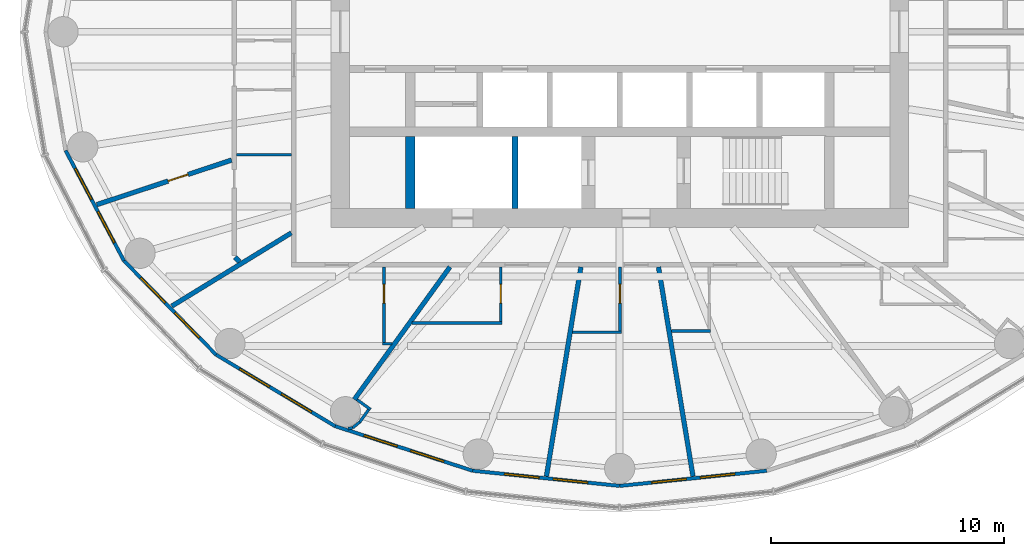
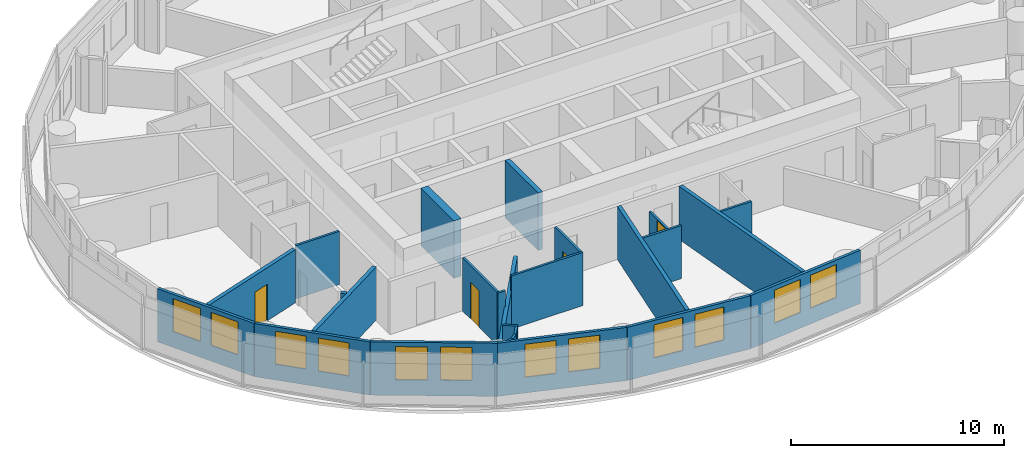
# One storey, part 6 of 14: 26 walls, 12 windows, 4 doors, 16 openings.
"""IFC4 building model written with IfcOpenShell, lengths in metres."""

from ifc_helpers import new_model, si_unit, direction, frame, frame_2d, origin, place, context, subcontext, project, spatial, rectangle, extrude, material, layer, layer_set, type_object, element, fill, save


model = new_model("IFC4")

# Units and contexts
model_context = context("Model", 3, precision=1e-05, world=origin(), true_north=direction((0.0, 1.0)))
body_context = subcontext(model_context, "Body", "Model", "MODEL_VIEW")
ifc_project = project(units=[si_unit("LENGTHUNIT", "METRE"), si_unit("AREAUNIT", "SQUARE_METRE"), si_unit("VOLUMEUNIT", "CUBIC_METRE"), si_unit("PLANEANGLEUNIT", "RADIAN"), si_unit("MASSUNIT", "GRAM", prefix="KILO")], contexts=[model_context])

# Site, building, storey
site_placement = place(None, origin())
site = spatial("IfcSite", under=ifc_project, at=site_placement, CompositionType="ELEMENT")
building_placement = place(site_placement, origin())
building = spatial("IfcBuilding", under=site, at=building_placement, Name="Hankou Lantern Tower", CompositionType="ELEMENT")
storey_placement = place(building_placement, frame((0.0, 0.0, 135.300048828125)))
storey = spatial("IfcBuildingStorey", under=building, at=storey_placement, Name="L35", CompositionType="ELEMENT", Elevation=135.300048828125)

# Wall
ifc_material_1 = material(Name="Concrete C60", Category="concrete")
ifc_layer_1 = layer(ifc_material_1, 0.39990234375)
ifc_layer_set_1 = layer_set([ifc_layer_1], Name="Concrete C60")
wall_type_1 = type_object("IfcWallType", Name="CW4 CORE CROSS WALL 400", PredefinedType="SHEAR", material=ifc_layer_set_1)
wall_1_placement = place(storey_placement, frame((-9.0, -7.60009765625, 0.0), z_axis=(0.0, 0.0, 1.0), x_axis=(0.0, 1.0, 0.0)))
element("IfcWall", 1, at=wall_1_placement, inside=storey, type_object=wall_type_1, Name="Core strip wall L35", PredefinedType="SHEAR", context=body_context, shape_type="SweptSolid", body=[
    extrude(rectangle(XDim=3.10009765625, YDim=0.39990234375, at=frame_2d((1.550048828125, 0.0))), origin(), (0.0, 0.0, 1.0), 3.300048828125),
])

# Wall, openings, windows
ifc_material_2 = material(Name="Aluminium spandrel panel on steel studs", Category="steel")
ifc_layer_2 = layer(ifc_material_2, 0.14990234375)
ifc_layer_set_2 = layer_set([ifc_layer_2], Name="Aluminium spandrel panel on steel studs")
wall_type_2 = type_object("IfcWallType", Name="EW1 INNER SKIN WALL 150", PredefinedType="ELEMENTEDWALL", material=ifc_layer_set_2)
wall_2_placement = place(storey_placement, frame((-23.7919921875, -5.10009765625, 0.0), z_axis=(0.0, 0.0, 1.0), x_axis=(0.467814388454, -0.883826735257, 0.0)))
wall_2 = element("IfcWall", 2, at=wall_2_placement, inside=storey, type_object=wall_type_2, Name="Inner skin R14-R15 L35", PredefinedType="ELEMENTEDWALL", context=body_context, shape_type="SweptSolid", body=[
    extrude(rectangle(XDim=5.35400390625, YDim=0.14990234375, at=frame_2d((2.677001953125, 0.0))), origin(), (0.0, 0.0, 1.0), 3.050048828125),
])
opening_1_placement = place(wall_2_placement, frame((0.876953125, 0.0, 0.89990234375)))
opening_1 = element("IfcOpeningElement", 3, at=opening_1_placement, cuts=wall_2, Name="Opening W2", PredefinedType="OPENING", context=body_context, shape_type="SweptSolid", body=[
    extrude(rectangle(XDim=1.5, YDim=1.89990234375, at=frame_2d((0.75, 0.949951171875))), frame((0.0, 0.0849609375, 0.0), z_axis=(0.0, -1.0, 0.0), x_axis=(1.0, 0.0, 0.0)), (0.0, 0.0, 1.0), 0.169921875),
])
opening_2_placement = place(wall_2_placement, frame((2.97705078125, 0.0, 0.89990234375)))
opening_2 = element("IfcOpeningElement", 4, at=opening_2_placement, cuts=wall_2, Name="Opening W2", PredefinedType="OPENING", context=body_context, shape_type="SweptSolid", body=[
    extrude(rectangle(XDim=1.5, YDim=1.89990234375, at=frame_2d((0.75, 0.949951171875))), frame((0.0, 0.0849609375, 0.0), z_axis=(0.0, -1.0, 0.0), x_axis=(1.0, 0.0, 0.0)), (0.0, 0.0, 1.0), 0.169921875),
])
ifc_material_3 = material(Name="Aluminium framed double glazed window", Category="aluminium")
window_type = type_object("IfcWindowType", Name="W2 GUEST ROOM WINDOW 1500X1900", PartitioningType="DOUBLE_PANEL_VERTICAL", PredefinedType="WINDOW", material=ifc_material_3)
window_1_placement = place(opening_1_placement, origin())
window_1 = element("IfcWindow", 5, at=window_1_placement, inside=storey, type_object=window_type, Name="Window R14.1 L35", OverallHeight=1.89990234375, OverallWidth=1.5, PartitioningType="SINGLE_PANEL", PredefinedType="WINDOW", context=body_context, shape_type="SweptSolid", body=[
    extrude(rectangle(XDim=1.5, YDim=1.89990234375, at=frame_2d((0.75, 0.949951171875))), frame((0.0, 0.030029296875, 0.0), z_axis=(0.0, -1.0, 0.0), x_axis=(1.0, 0.0, 0.0)), (0.0, 0.0, 1.0), 0.06005859375),
])
fill(opening_1, window_1)
window_2_placement = place(opening_2_placement, origin())
window_2 = element("IfcWindow", 6, at=window_2_placement, inside=storey, type_object=window_type, Name="Window R14.2 L35", OverallHeight=1.89990234375, OverallWidth=1.5, PartitioningType="SINGLE_PANEL", PredefinedType="WINDOW", context=body_context, shape_type="SweptSolid", body=[
    extrude(rectangle(XDim=1.5, YDim=1.89990234375, at=frame_2d((0.75, 0.949951171875))), frame((0.0, 0.030029296875, 0.0), z_axis=(0.0, -1.0, 0.0), x_axis=(1.0, 0.0, 0.0)), (0.0, 0.0, 1.0), 0.06005859375),
])
fill(opening_2, window_2)

wall_3_placement = place(storey_placement, frame((-21.287353515625, -9.83203125, 0.0), z_axis=(0.0, 0.0, 1.0), x_axis=(0.700136650834, -0.714008872605, 0.0)))
wall_3 = element("IfcWall", 7, at=wall_3_placement, inside=storey, type_object=wall_type_2, Name="Inner skin R15-R16 L35", PredefinedType="ELEMENTEDWALL", context=body_context, shape_type="SweptSolid", body=[
    extrude(rectangle(XDim=5.6494140625, YDim=0.14990234375, at=frame_2d((2.82470703125, 0.0))), origin(), (0.0, 0.0, 1.0), 3.050048828125),
])
opening_3_placement = place(wall_3_placement, frame((1.024658203125, 0.0, 0.89990234375)))
opening_3 = element("IfcOpeningElement", 8, at=opening_3_placement, cuts=wall_3, Name="Opening W2", PredefinedType="OPENING", context=body_context, shape_type="SweptSolid", body=[
    extrude(rectangle(XDim=1.5, YDim=1.89990234375, at=frame_2d((0.75, 0.949951171875))), frame((0.0, 0.0849609375, 0.0), z_axis=(0.0, -1.0, 0.0), x_axis=(1.0, 0.0, 0.0)), (0.0, 0.0, 1.0), 0.169921875),
])
opening_4_placement = place(wall_3_placement, frame((3.12451171875, 0.0, 0.89990234375)))
opening_4 = element("IfcOpeningElement", 9, at=opening_4_placement, cuts=wall_3, Name="Opening W2", PredefinedType="OPENING", context=body_context, shape_type="SweptSolid", body=[
    extrude(rectangle(XDim=1.5, YDim=1.89990234375, at=frame_2d((0.75, 0.949951171875))), frame((0.0, 0.0849609375, 0.0), z_axis=(0.0, -1.0, 0.0), x_axis=(1.0, 0.0, 0.0)), (0.0, 0.0, 1.0), 0.169921875),
])
window_3_placement = place(opening_3_placement, origin())
window_3 = element("IfcWindow", 10, at=window_3_placement, inside=storey, type_object=window_type, Name="Window R15.1 L35", OverallHeight=1.89990234375, OverallWidth=1.5, PartitioningType="SINGLE_PANEL", PredefinedType="WINDOW", context=body_context, shape_type="SweptSolid", body=[
    extrude(rectangle(XDim=1.5, YDim=1.89990234375, at=frame_2d((0.75, 0.949951171875))), frame((0.0, 0.030029296875, 0.0), z_axis=(0.0, -1.0, 0.0), x_axis=(1.0, 0.0, 0.0)), (0.0, 0.0, 1.0), 0.06005859375),
])
fill(opening_3, window_3)
window_4_placement = place(opening_4_placement, origin())
window_4 = element("IfcWindow", 11, at=window_4_placement, inside=storey, type_object=window_type, Name="Window R15.2 L35", OverallHeight=1.89990234375, OverallWidth=1.5, PartitioningType="SINGLE_PANEL", PredefinedType="WINDOW", context=body_context, shape_type="SweptSolid", body=[
    extrude(rectangle(XDim=1.5, YDim=1.89990234375, at=frame_2d((0.75, 0.949951171875))), frame((0.0, 0.030029296875, 0.0), z_axis=(0.0, -1.0, 0.0), x_axis=(1.0, 0.0, 0.0)), (0.0, 0.0, 1.0), 0.06005859375),
])
fill(opening_4, window_4)

wall_4_placement = place(storey_placement, frame((-17.33203125, -13.86572265625, 0.0), z_axis=(0.0, 0.0, 1.0), x_axis=(0.857308573723, -0.514802884044, 0.0)))
wall_4 = element("IfcWall", 12, at=wall_4_placement, inside=storey, type_object=wall_type_2, Name="Inner skin R16-R17 L35", PredefinedType="ELEMENTEDWALL", context=body_context, shape_type="SweptSolid", body=[
    extrude(rectangle(XDim=5.961181640625, YDim=0.14990234375, at=frame_2d((2.98046875, 0.0))), origin(), (0.0, 0.0, 1.0), 3.050048828125),
])
opening_5_placement = place(wall_4_placement, frame((1.1806640625, 0.0, 0.89990234375)))
opening_5 = element("IfcOpeningElement", 13, at=opening_5_placement, cuts=wall_4, Name="Opening W2", PredefinedType="OPENING", context=body_context, shape_type="SweptSolid", body=[
    extrude(rectangle(XDim=1.5, YDim=1.89990234375, at=frame_2d((0.75, 0.949951171875))), frame((0.0, 0.0849609375, 0.0), z_axis=(0.0, -1.0, 0.0), x_axis=(1.0, 0.0, 0.0)), (0.0, 0.0, 1.0), 0.169921875),
])
opening_6_placement = place(wall_4_placement, frame((3.280517578125, 0.0, 0.89990234375)))
opening_6 = element("IfcOpeningElement", 14, at=opening_6_placement, cuts=wall_4, Name="Opening W2", PredefinedType="OPENING", context=body_context, shape_type="SweptSolid", body=[
    extrude(rectangle(XDim=1.5, YDim=1.89990234375, at=frame_2d((0.75, 0.949951171875))), frame((0.0, 0.0849609375, 0.0), z_axis=(0.0, -1.0, 0.0), x_axis=(1.0, 0.0, 0.0)), (0.0, 0.0, 1.0), 0.169921875),
])
window_5_placement = place(opening_5_placement, origin())
window_5 = element("IfcWindow", 15, at=window_5_placement, inside=storey, type_object=window_type, Name="Window R16.1 L35", OverallHeight=1.89990234375, OverallWidth=1.5, PartitioningType="SINGLE_PANEL", PredefinedType="WINDOW", context=body_context, shape_type="SweptSolid", body=[
    extrude(rectangle(XDim=1.5, YDim=1.89990234375, at=frame_2d((0.75, 0.949951171875))), frame((0.0, 0.030029296875, 0.0), z_axis=(0.0, -1.0, 0.0), x_axis=(1.0, 0.0, 0.0)), (0.0, 0.0, 1.0), 0.06005859375),
])
fill(opening_5, window_5)
window_6_placement = place(opening_6_placement, origin())
window_6 = element("IfcWindow", 16, at=window_6_placement, inside=storey, type_object=window_type, Name="Window R16.2 L35", OverallHeight=1.89990234375, OverallWidth=1.5, PartitioningType="SINGLE_PANEL", PredefinedType="WINDOW", context=body_context, shape_type="SweptSolid", body=[
    extrude(rectangle(XDim=1.5, YDim=1.89990234375, at=frame_2d((0.75, 0.949951171875))), frame((0.0, 0.030029296875, 0.0), z_axis=(0.0, -1.0, 0.0), x_axis=(1.0, 0.0, 0.0)), (0.0, 0.0, 1.0), 0.06005859375),
])
fill(opening_6, window_6)

wall_5_placement = place(storey_placement, frame((-12.221435546875, -16.9345703125, 0.0), z_axis=(0.0, 0.0, 1.0), x_axis=(0.951272691506, -0.308350881944, 0.0)))
wall_5 = element("IfcWall", 17, at=wall_5_placement, inside=storey, type_object=wall_type_2, Name="Inner skin R17-R18 L35", PredefinedType="ELEMENTEDWALL", context=body_context, shape_type="SweptSolid", body=[
    extrude(rectangle(XDim=6.210693359375, YDim=0.14990234375, at=frame_2d((3.10546875, 0.0))), origin(), (0.0, 0.0, 1.0), 3.050048828125),
])
opening_7_placement = place(wall_5_placement, frame((1.305419921875, 0.0, 0.89990234375)))
opening_7 = element("IfcOpeningElement", 18, at=opening_7_placement, cuts=wall_5, Name="Opening W2", PredefinedType="OPENING", context=body_context, shape_type="SweptSolid", body=[
    extrude(rectangle(XDim=1.5, YDim=1.89990234375, at=frame_2d((0.75, 0.949951171875))), frame((0.0, 0.0849609375, 0.0), z_axis=(0.0, -1.0, 0.0), x_axis=(1.0, 0.0, 0.0)), (0.0, 0.0, 1.0), 0.169921875),
])
opening_8_placement = place(wall_5_placement, frame((3.4052734375, 0.0, 0.89990234375)))
opening_8 = element("IfcOpeningElement", 19, at=opening_8_placement, cuts=wall_5, Name="Opening W2", PredefinedType="OPENING", context=body_context, shape_type="SweptSolid", body=[
    extrude(rectangle(XDim=1.5, YDim=1.89990234375, at=frame_2d((0.75, 0.949951171875))), frame((0.0, 0.0849609375, 0.0), z_axis=(0.0, -1.0, 0.0), x_axis=(1.0, 0.0, 0.0)), (0.0, 0.0, 1.0), 0.169921875),
])
window_7_placement = place(opening_7_placement, origin())
window_7 = element("IfcWindow", 20, at=window_7_placement, inside=storey, type_object=window_type, Name="Window R17.1 L35", OverallHeight=1.89990234375, OverallWidth=1.5, PartitioningType="SINGLE_PANEL", PredefinedType="WINDOW", context=body_context, shape_type="SweptSolid", body=[
    extrude(rectangle(XDim=1.5, YDim=1.89990234375, at=frame_2d((0.75, 0.949951171875))), frame((0.0, 0.030029296875, 0.0), z_axis=(0.0, -1.0, 0.0), x_axis=(1.0, 0.0, 0.0)), (0.0, 0.0, 1.0), 0.06005859375),
])
fill(opening_7, window_7)
window_8_placement = place(opening_8_placement, origin())
window_8 = element("IfcWindow", 21, at=window_8_placement, inside=storey, type_object=window_type, Name="Window R17.2 L35", OverallHeight=1.89990234375, OverallWidth=1.5, PartitioningType="SINGLE_PANEL", PredefinedType="WINDOW", context=body_context, shape_type="SweptSolid", body=[
    extrude(rectangle(XDim=1.5, YDim=1.89990234375, at=frame_2d((0.75, 0.949951171875))), frame((0.0, 0.030029296875, 0.0), z_axis=(0.0, -1.0, 0.0), x_axis=(1.0, 0.0, 0.0)), (0.0, 0.0, 1.0), 0.06005859375),
])
fill(opening_8, window_8)

wall_6_placement = place(storey_placement, frame((-6.3134765625, -18.849609375, 0.0), z_axis=(0.0, 0.0, 1.0), x_axis=(0.994735690163, -0.102473931887, 0.0)))
wall_6 = element("IfcWall", 22, at=wall_6_placement, inside=storey, type_object=wall_type_2, Name="Inner skin R18-R19 L35", PredefinedType="ELEMENTEDWALL", context=body_context, shape_type="SweptSolid", body=[
    extrude(rectangle(XDim=6.346923828125, YDim=0.14990234375, at=frame_2d((3.17333984375, 0.0))), origin(), (0.0, 0.0, 1.0), 3.050048828125),
])
opening_9_placement = place(wall_6_placement, frame((1.373291015625, 0.0, 0.89990234375)))
opening_9 = element("IfcOpeningElement", 23, at=opening_9_placement, cuts=wall_6, Name="Opening W2", PredefinedType="OPENING", context=body_context, shape_type="SweptSolid", body=[
    extrude(rectangle(XDim=1.5, YDim=1.89990234375, at=frame_2d((0.75, 0.949951171875))), frame((0.0, 0.0849609375, 0.0), z_axis=(0.0, -1.0, 0.0), x_axis=(1.0, 0.0, 0.0)), (0.0, 0.0, 1.0), 0.169921875),
])
opening_10_placement = place(wall_6_placement, frame((3.473388671875, 0.0, 0.89990234375)))
opening_10 = element("IfcOpeningElement", 24, at=opening_10_placement, cuts=wall_6, Name="Opening W2", PredefinedType="OPENING", context=body_context, shape_type="SweptSolid", body=[
    extrude(rectangle(XDim=1.5, YDim=1.89990234375, at=frame_2d((0.75, 0.949951171875))), frame((0.0, 0.0849609375, 0.0), z_axis=(0.0, -1.0, 0.0), x_axis=(1.0, 0.0, 0.0)), (0.0, 0.0, 1.0), 0.169921875),
])
window_9_placement = place(opening_9_placement, origin())
window_9 = element("IfcWindow", 25, at=window_9_placement, inside=storey, type_object=window_type, Name="Window R18.1 L35", OverallHeight=1.89990234375, OverallWidth=1.5, PartitioningType="SINGLE_PANEL", PredefinedType="WINDOW", context=body_context, shape_type="SweptSolid", body=[
    extrude(rectangle(XDim=1.5, YDim=1.89990234375, at=frame_2d((0.75, 0.949951171875))), frame((0.0, 0.030029296875, 0.0), z_axis=(0.0, -1.0, 0.0), x_axis=(1.0, 0.0, 0.0)), (0.0, 0.0, 1.0), 0.06005859375),
])
fill(opening_9, window_9)
window_10_placement = place(opening_10_placement, origin())
window_10 = element("IfcWindow", 26, at=window_10_placement, inside=storey, type_object=window_type, Name="Window R18.2 L35", OverallHeight=1.89990234375, OverallWidth=1.5, PartitioningType="SINGLE_PANEL", PredefinedType="WINDOW", context=body_context, shape_type="SweptSolid", body=[
    extrude(rectangle(XDim=1.5, YDim=1.89990234375, at=frame_2d((0.75, 0.949951171875))), frame((0.0, 0.030029296875, 0.0), z_axis=(0.0, -1.0, 0.0), x_axis=(1.0, 0.0, 0.0)), (0.0, 0.0, 1.0), 0.06005859375),
])
fill(opening_10, window_10)

wall_7_placement = place(storey_placement, frame((0.0, -19.5, 0.0), z_axis=(0.0, 0.0, 1.0), x_axis=(0.994735690163, 0.102473931887, 0.0)))
wall_7 = element("IfcWall", 27, at=wall_7_placement, inside=storey, type_object=wall_type_2, Name="Inner skin R19-R20 L35", PredefinedType="ELEMENTEDWALL", context=body_context, shape_type="SweptSolid", body=[
    extrude(rectangle(XDim=6.346923828125, YDim=0.14990234375, at=frame_2d((3.17333984375, 0.0))), origin(), (0.0, 0.0, 1.0), 3.050048828125),
])
opening_11_placement = place(wall_7_placement, frame((1.373291015625, 0.0, 0.89990234375)))
opening_11 = element("IfcOpeningElement", 28, at=opening_11_placement, cuts=wall_7, Name="Opening W2", PredefinedType="OPENING", context=body_context, shape_type="SweptSolid", body=[
    extrude(rectangle(XDim=1.5, YDim=1.89990234375, at=frame_2d((0.75, 0.949951171875))), frame((0.0, 0.0849609375, 0.0), z_axis=(0.0, -1.0, 0.0), x_axis=(1.0, 0.0, 0.0)), (0.0, 0.0, 1.0), 0.169921875),
])
opening_12_placement = place(wall_7_placement, frame((3.473388671875, 0.0, 0.89990234375)))
opening_12 = element("IfcOpeningElement", 29, at=opening_12_placement, cuts=wall_7, Name="Opening W2", PredefinedType="OPENING", context=body_context, shape_type="SweptSolid", body=[
    extrude(rectangle(XDim=1.5, YDim=1.89990234375, at=frame_2d((0.75, 0.949951171875))), frame((0.0, 0.0849609375, 0.0), z_axis=(0.0, -1.0, 0.0), x_axis=(1.0, 0.0, 0.0)), (0.0, 0.0, 1.0), 0.169921875),
])
window_11_placement = place(opening_11_placement, origin())
window_11 = element("IfcWindow", 30, at=window_11_placement, inside=storey, type_object=window_type, Name="Window R19.1 L35", OverallHeight=1.89990234375, OverallWidth=1.5, PartitioningType="SINGLE_PANEL", PredefinedType="WINDOW", context=body_context, shape_type="SweptSolid", body=[
    extrude(rectangle(XDim=1.5, YDim=1.89990234375, at=frame_2d((0.75, 0.949951171875))), frame((0.0, 0.030029296875, 0.0), z_axis=(0.0, -1.0, 0.0), x_axis=(1.0, 0.0, 0.0)), (0.0, 0.0, 1.0), 0.06005859375),
])
fill(opening_11, window_11)
window_12_placement = place(opening_12_placement, origin())
window_12 = element("IfcWindow", 31, at=window_12_placement, inside=storey, type_object=window_type, Name="Window R19.2 L35", OverallHeight=1.89990234375, OverallWidth=1.5, PartitioningType="SINGLE_PANEL", PredefinedType="WINDOW", context=body_context, shape_type="SweptSolid", body=[
    extrude(rectangle(XDim=1.5, YDim=1.89990234375, at=frame_2d((0.75, 0.949951171875))), frame((0.0, 0.030029296875, 0.0), z_axis=(0.0, -1.0, 0.0), x_axis=(1.0, 0.0, 0.0)), (0.0, 0.0, 1.0), 0.06005859375),
])
fill(opening_12, window_12)

# Walls
ifc_material_4 = material(Name="Masonry lightweight concrete block", Category="masonry")
ifc_layer_3 = layer(ifc_material_4, 0.199951171875)
ifc_layer_set_3 = layer_set([ifc_layer_3], Name="Masonry lightweight concrete block")
wall_type_3 = type_object("IfcWallType", Name="IW1 GUEST ROOM PARTY WALL 200", PredefinedType="PARTITIONING", material=ifc_layer_set_3)
wall_8_placement = place(storey_placement, frame((-14.10009765625, -8.6376953125, 0.0), z_axis=(0.0, 0.0, 1.0), x_axis=(-0.852706758009, -0.5223898782, 0.0)))
element("IfcWall", 32, at=wall_8_placement, inside=storey, type_object=wall_type_3, Name="Party wall R15-R16", PredefinedType="PARTITIONING", context=body_context, shape_type="SweptSolid", body=[
    extrude(rectangle(XDim=6.0185546875, YDim=0.199951171875, at=frame_2d((3.00927734375, 0.0))), origin(), (0.0, 0.0, 1.0), 3.050048828125),
])
wall_9_placement = place(storey_placement, frame((-7.2890625, -10.10009765625, 0.0), z_axis=(0.0, 0.0, 1.0), x_axis=(-0.585217367024, -0.81087645997, 0.0)))
element("IfcWall", 33, at=wall_9_placement, inside=storey, type_object=wall_type_3, Name="Party wall R17", PredefinedType="PARTITIONING", context=body_context, shape_type="SweptSolid", body=[
    extrude(rectangle(XDim=7.01611328125, YDim=0.199951171875, at=frame_2d((3.508056640625, 0.0))), origin(), (0.0, 0.0, 1.0), 2.14990234375),
])
for number, where, z_axis, x_axis, name in (
    (34, (-1.665283203125, -10.10009765625, 0.0), (0.0, 0.0, 1.0), (-0.162660519103, -0.986682094459, 0.0), "Party wall R18-R19"),
    (35, (1.665283203125, -10.10009765625, 0.0), (0.0, 0.0, 1.0), (0.162660519103, -0.986682094459, 0.0), "Party wall R19-R20"),
):
    element("IfcWall", number, at=place(storey_placement, frame(where, z_axis=z_axis, x_axis=x_axis)), inside=storey, type_object=wall_type_3, Name=name, PredefinedType="PARTITIONING", context=body_context, shape_type="SweptSolid", body=[
        extrude(rectangle(XDim=9.110595703125, YDim=0.199951171875, at=frame_2d((4.55517578125, 0.0))), origin(), (0.0, 0.0, 1.0), 3.050048828125),
    ])
ifc_material_5 = material(Name="Masonry lightweight concrete block", Category="masonry")
ifc_layer_4 = layer(ifc_material_5, 0.1201171875)
ifc_layer_set_4 = layer_set([ifc_layer_4], Name="Masonry lightweight concrete block")
wall_type_4 = type_object("IfcWallType", Name="IW3 BATHROOM WALL 120", PredefinedType="PARTITIONING", material=ifc_layer_set_4)
wall_10_placement = place(storey_placement, frame((-14.10009765625, -5.281494140625, 0.0), z_axis=(0.0, 0.0, 1.0), x_axis=(-1.0, 0.0, 0.0)))
element("IfcWall", 36, at=wall_10_placement, inside=storey, type_object=wall_type_4, Name="Box wall 3505 4", PredefinedType="PARTITIONING", context=body_context, shape_type="SweptSolid", body=[
    extrude(rectangle(XDim=2.349853515625, YDim=0.1201171875, at=frame_2d((1.1748046875, 0.0))), origin(), (0.0, 0.0, 1.0), 3.050048828125),
])
wall_11_placement = place(storey_placement, frame((-9.7705078125, -13.39990234375, 0.0), z_axis=(0.0, 0.0, 1.0), x_axis=(-1.0, 0.0, 0.0)))
element("IfcWall", 37, at=wall_11_placement, inside=storey, type_object=wall_type_4, Name="Box wall 3506 1", PredefinedType="PARTITIONING", context=body_context, shape_type="SweptSolid", body=[
    extrude(rectangle(XDim=0.408447265625, YDim=0.1201171875, at=frame_2d((0.2041015625, 0.0))), origin(), (0.0, 0.0, 1.0), 3.050048828125),
])

# Wall, opening, door
wall_12_placement = place(storey_placement, frame((-10.119140625, -10.10009765625, 0.0), z_axis=(0.0, 0.0, 1.0), x_axis=(0.0, -1.0, 0.0)))
wall_12 = element("IfcWall", 38, at=wall_12_placement, inside=storey, type_object=wall_type_4, Name="Box wall 3506 1", PredefinedType="PARTITIONING", context=body_context, shape_type="SweptSolid", body=[
    extrude(rectangle(XDim=3.239990234375, YDim=0.1201171875, at=frame_2d((1.6201171875, 0.0))), origin(), (0.0, 0.0, 1.0), 3.050048828125),
])
opening_13_placement = place(wall_12_placement, frame((0.75, 0.0, 0.0)))
opening_13 = element("IfcOpeningElement", 39, at=opening_13_placement, cuts=wall_12, Name="Opening D3", PredefinedType="OPENING", context=body_context, shape_type="SweptSolid", body=[
    extrude(rectangle(XDim=0.800048828125, YDim=2.10009765625, at=frame_2d((0.39990234375, 1.050048828125))), frame((0.0, 0.070068359375, 0.0), z_axis=(0.0, -1.0, 0.0), x_axis=(1.0, 0.0, 0.0)), (0.0, 0.0, 1.0), 0.14013671875),
])
ifc_material_6 = material(Name="Timber door leaf", Category="wood")
door_type_1 = type_object("IfcDoorType", Name="D3 BATHROOM DOOR 800X2100", OperationType="SINGLE_SWING_LEFT", PredefinedType="DOOR", material=ifc_material_6)
door_1_placement = place(opening_13_placement, origin())
door_1 = element("IfcDoor", 40, at=door_1_placement, inside=storey, type_object=door_type_1, Name="En-suite bathroom 3506 door", OperationType="SINGLE_SWING_LEFT", OverallHeight=2.10009765625, OverallWidth=0.800048828125, PredefinedType="DOOR", context=body_context, shape_type="SweptSolid", body=[
    extrude(rectangle(XDim=0.800048828125, YDim=2.10009765625, at=frame_2d((0.39990234375, 1.050048828125))), frame((0.0, 0.02490234375, 0.0), z_axis=(0.0, -1.0, 0.0), x_axis=(1.0, 0.0, 0.0)), (0.0, 0.0, 1.0), 0.050048828125),
])
fill(opening_13, door_1)

# Wall
wall_13_placement = place(storey_placement, frame((-8.921142578125, -12.5, 0.0), z_axis=(0.0, 0.0, 1.0), x_axis=(1.0, 0.0, 0.0)))
element("IfcWall", 41, at=wall_13_placement, inside=storey, type_object=wall_type_4, Name="Box wall 3507 1", PredefinedType="PARTITIONING", context=body_context, shape_type="SweptSolid", body=[
    extrude(rectangle(XDim=3.8720703125, YDim=0.1201171875, at=frame_2d((1.93603515625, 0.0))), origin(), (0.0, 0.0, 1.0), 3.050048828125),
])

# Wall, opening, door
wall_14_placement = place(storey_placement, frame((-5.109130859375, -10.10009765625, 0.0), z_axis=(0.0, 0.0, 1.0), x_axis=(0.0, -1.0, 0.0)))
wall_14 = element("IfcWall", 42, at=wall_14_placement, inside=storey, type_object=wall_type_4, Name="Box wall 3507 1", PredefinedType="PARTITIONING", context=body_context, shape_type="SweptSolid", body=[
    extrude(rectangle(XDim=2.33984375, YDim=0.1201171875, at=frame_2d((1.169921875, 0.0))), origin(), (0.0, 0.0, 1.0), 3.050048828125),
])
opening_14_placement = place(wall_14_placement, frame((0.75, 0.0, 0.0)))
opening_14 = element("IfcOpeningElement", 43, at=opening_14_placement, cuts=wall_14, Name="Opening D3", PredefinedType="OPENING", context=body_context, shape_type="SweptSolid", body=[
    extrude(rectangle(XDim=0.800048828125, YDim=2.10009765625, at=frame_2d((0.39990234375, 1.050048828125))), frame((0.0, 0.070068359375, 0.0), z_axis=(0.0, -1.0, 0.0), x_axis=(1.0, 0.0, 0.0)), (0.0, 0.0, 1.0), 0.14013671875),
])
door_2_placement = place(opening_14_placement, origin())
door_2 = element("IfcDoor", 44, at=door_2_placement, inside=storey, type_object=door_type_1, Name="En-suite bathroom 3507 door", OperationType="SINGLE_SWING_LEFT", OverallHeight=2.10009765625, OverallWidth=0.800048828125, PredefinedType="DOOR", context=body_context, shape_type="SweptSolid", body=[
    extrude(rectangle(XDim=0.800048828125, YDim=2.10009765625, at=frame_2d((0.39990234375, 1.050048828125))), frame((0.0, 0.02490234375, 0.0), z_axis=(0.0, -1.0, 0.0), x_axis=(1.0, 0.0, 0.0)), (0.0, 0.0, 1.0), 0.050048828125),
])
fill(opening_14, door_2)

# Wall
wall_15_placement = place(storey_placement, frame((-2.02685546875, -12.89990234375, 0.0), z_axis=(0.0, 0.0, 1.0), x_axis=(1.0, 0.0, 0.0)))
element("IfcWall", 45, at=wall_15_placement, inside=storey, type_object=wall_type_4, Name="Box wall 3508 1", PredefinedType="PARTITIONING", context=body_context, shape_type="SweptSolid", body=[
    extrude(rectangle(XDim=2.1015625, YDim=0.1201171875, at=frame_2d((1.05078125, 0.0))), origin(), (0.0, 0.0, 1.0), 3.050048828125),
])

# Wall, opening, door
wall_16_placement = place(storey_placement, frame((0.014892578125, -10.10009765625, 0.0), z_axis=(0.0, 0.0, 1.0), x_axis=(0.0, -1.0, 0.0)))
wall_16 = element("IfcWall", 46, at=wall_16_placement, inside=storey, type_object=wall_type_4, Name="Box wall 3508 1", PredefinedType="PARTITIONING", context=body_context, shape_type="SweptSolid", body=[
    extrude(rectangle(XDim=2.739990234375, YDim=0.1201171875, at=frame_2d((1.3701171875, 0.0))), origin(), (0.0, 0.0, 1.0), 2.14990234375),
])
opening_15_placement = place(wall_16_placement, frame((0.75, 0.0, 0.0)))
opening_15 = element("IfcOpeningElement", 47, at=opening_15_placement, cuts=wall_16, Name="Opening D3", PredefinedType="OPENING", context=body_context, shape_type="SweptSolid", body=[
    extrude(rectangle(XDim=0.800048828125, YDim=2.10009765625, at=frame_2d((0.39990234375, 1.050048828125))), frame((0.0, 0.070068359375, 0.0), z_axis=(0.0, -1.0, 0.0), x_axis=(1.0, 0.0, 0.0)), (0.0, 0.0, 1.0), 0.14013671875),
])
door_3_placement = place(opening_15_placement, origin())
door_3 = element("IfcDoor", 48, at=door_3_placement, inside=storey, type_object=door_type_1, Name="En-suite bathroom 3508 door", OperationType="SINGLE_SWING_LEFT", OverallHeight=2.10009765625, OverallWidth=0.800048828125, PredefinedType="DOOR", context=body_context, shape_type="SweptSolid", body=[
    extrude(rectangle(XDim=0.800048828125, YDim=2.10009765625, at=frame_2d((0.39990234375, 1.050048828125))), frame((0.0, 0.02490234375, 0.0), z_axis=(0.0, -1.0, 0.0), x_axis=(1.0, 0.0, 0.0)), (0.0, 0.0, 1.0), 0.050048828125),
])
fill(opening_15, door_3)

# Walls
wall_17_placement = place(storey_placement, frame((2.218505859375, -12.85009765625, 0.0), z_axis=(0.0, 0.0, 1.0), x_axis=(1.0, 0.0, 0.0)))
element("IfcWall", 49, at=wall_17_placement, inside=storey, type_object=wall_type_4, Name="Box wall 3509 1", PredefinedType="PARTITIONING", context=body_context, shape_type="SweptSolid", body=[
    extrude(rectangle(XDim=1.686767578125, YDim=0.1201171875, at=frame_2d((0.84326171875, 0.0))), origin(), (0.0, 0.0, 1.0), 3.050048828125),
])
ifc_material_7 = material(Name="Masonry lightweight concrete block", Category="masonry")
ifc_layer_5 = layer(ifc_material_7, 0.1201171875)
ifc_layer_set_5 = layer_set([ifc_layer_5], Name="Masonry lightweight concrete block")
wall_type_5 = type_object("IfcWallType", Name="IW4 PARTITION 120", PredefinedType="PARTITIONING", material=ifc_layer_set_5)
wall_18_placement = place(storey_placement, frame((-11.27880859375, -15.799072265625, 0.0), z_axis=(0.0, 0.0, 1.0), x_axis=(0.810912957127, -0.585166793285, 0.0)))
element("IfcWall", 50, at=wall_18_placement, inside=storey, type_object=wall_type_5, Name="Column casing R17 return", PredefinedType="PARTITIONING", context=body_context, shape_type="SweptSolid", body=[
    extrude(rectangle(XDim=0.7158203125, YDim=0.1201171875, at=frame_2d((0.35791015625, 0.0))), origin(), (0.0, 0.0, 1.0), 3.050048828125),
])
wall_19_placement = place(storey_placement, frame((-10.781982421875, -16.2314453125, 0.0), z_axis=(0.0, 0.0, 1.0), x_axis=(-0.585175102182, -0.810906961239, 0.0)))
element("IfcWall", 51, at=wall_19_placement, inside=storey, type_object=wall_type_5, Name="Column casing R17", PredefinedType="PARTITIONING", context=body_context, shape_type="SweptSolid", body=[
    extrude(rectangle(XDim=0.64990234375, YDim=0.1201171875, at=frame_2d((0.324951171875, 0.0))), origin(), (0.0, 0.0, 1.0), 3.050048828125),
])
wall_20_placement = place(storey_placement, frame((-11.162353515625, -16.758544921875, 0.0), z_axis=(0.0, 0.0, 1.0), x_axis=(-0.775178428527, -0.63174235567, 0.0)))
element("IfcWall", 52, at=wall_20_placement, inside=storey, type_object=wall_type_5, Name="Column casing R17", PredefinedType="PARTITIONING", context=body_context, shape_type="SweptSolid", body=[
    extrude(rectangle(XDim=0.3916015625, YDim=0.1201171875, at=frame_2d((0.19580078125, 0.0))), origin(), (0.0, 0.0, 1.0), 3.050048828125),
])
wall_21_placement = place(storey_placement, frame((-11.4658203125, -17.005859375, 0.0), z_axis=(0.0, 0.0, 1.0), x_axis=(-0.987228877621, -0.15930832744, 0.0)))
element("IfcWall", 53, at=wall_21_placement, inside=storey, type_object=wall_type_5, Name="Column casing R17", PredefinedType="PARTITIONING", context=body_context, shape_type="SweptSolid", body=[
    extrude(rectangle(XDim=0.202392578125, YDim=0.1201171875, at=frame_2d((0.10107421875, 0.0))), origin(), (0.0, 0.0, 1.0), 3.050048828125),
])
ifc_material_8 = material(Name="Masonry lightweight concrete block", Category="masonry")
ifc_layer_6 = layer(ifc_material_8, 0.199951171875)
ifc_layer_set_6 = layer_set([ifc_layer_6], Name="Masonry lightweight concrete block")
wall_type_6 = type_object("IfcWallType", Name="IW6 SUITE PARTITION 200", PredefinedType="PARTITIONING", material=ifc_layer_set_6)
wall_22_placement = place(storey_placement, frame((-16.520751953125, -9.67919921875, 0.0), z_axis=(0.0, 0.0, 1.0), x_axis=(0.707106781187, -0.707106781187, 0.0)))
element("IfcWall", 54, at=wall_22_placement, inside=storey, type_object=wall_type_6, Name="Suite foyer wall 3505", PredefinedType="PARTITIONING", context=body_context, shape_type="SweptSolid", body=[
    extrude(rectangle(XDim=0.2783203125, YDim=0.199951171875, at=frame_2d((0.13916015625, 0.0))), origin(), (0.0, 0.0, 1.0), 3.050048828125),
])

# Wall, opening, door
wall_23_placement = place(storey_placement, frame((-16.664306640625, -5.51025390625, 0.0), z_axis=(0.0, 0.0, 1.0), x_axis=(-0.949449376032, -0.313920184686, 0.0)))
wall_23 = element("IfcWall", 55, at=wall_23_placement, inside=storey, type_object=wall_type_6, Name="Suite partition R14-R15", PredefinedType="PARTITIONING", context=body_context, shape_type="SweptSolid", body=[
    extrude(rectangle(XDim=6.096435546875, YDim=0.199951171875, at=frame_2d((3.04833984375, 0.0))), origin(), (0.0, 0.0, 1.0), 3.050048828125),
])
opening_16_placement = place(wall_23_placement, frame((1.969970703125, 0.0, 0.0)))
opening_16 = element("IfcOpeningElement", 56, at=opening_16_placement, cuts=wall_23, Name="Opening D27", PredefinedType="OPENING", context=body_context, shape_type="SweptSolid", body=[
    extrude(rectangle(XDim=0.89990234375, YDim=2.10009765625, at=frame_2d((0.449951171875, 1.050048828125))), frame((0.0, 0.10986328125, 0.0), z_axis=(0.0, -1.0, 0.0), x_axis=(1.0, 0.0, 0.0)), (0.0, 0.0, 1.0), 0.219970703125),
])
ifc_material_9 = material(Name="Timber door leaf", Category="wood")
door_type_2 = type_object("IfcDoorType", Name="D27 INTERNAL DOOR 900X2100", OperationType="SINGLE_SWING_LEFT", PredefinedType="DOOR", material=ifc_material_9)
door_4_placement = place(opening_16_placement, origin())
door_4 = element("IfcDoor", 57, at=door_4_placement, inside=storey, type_object=door_type_2, Name="Family suite 3505 second bedroom door", OperationType="SINGLE_SWING_LEFT", OverallHeight=2.10009765625, OverallWidth=0.89990234375, PredefinedType="DOOR", context=body_context, shape_type="SweptSolid", body=[
    extrude(rectangle(XDim=0.89990234375, YDim=2.10009765625, at=frame_2d((0.449951171875, 1.050048828125))), frame((0.0, 0.02490234375, 0.0), z_axis=(0.0, -1.0, 0.0), x_axis=(1.0, 0.0, 0.0)), (0.0, 0.0, 1.0), 0.050048828125),
])
fill(opening_16, door_4)

# Wall
ifc_material_10 = material(Name="Masonry autoclaved aerated concrete block", Category="masonry")
ifc_layer_7 = layer(ifc_material_10, 0.25)
ifc_layer_set_7 = layer_set([ifc_layer_7], Name="Masonry autoclaved aerated concrete block")
wall_type_7 = type_object("IfcWallType", Name="SW1 SHAFT BLOCK WALL 250", PredefinedType="PARTITIONING", material=ifc_layer_set_7)
wall_24_placement = place(storey_placement, frame((-4.5, -7.60009765625, 0.0), z_axis=(0.0, 0.0, 1.0), x_axis=(0.0, 1.0, 0.0)))
element("IfcWall", 58, at=wall_24_placement, inside=storey, type_object=wall_type_7, Name="Riser wall L35", PredefinedType="PARTITIONING", context=body_context, shape_type="SweptSolid", body=[
    extrude(rectangle(XDim=3.10009765625, YDim=0.25, at=frame_2d((1.550048828125, 0.0))), origin(), (0.0, 0.0, 1.0), 3.300048828125),
])

save(model, "model.ifc")
